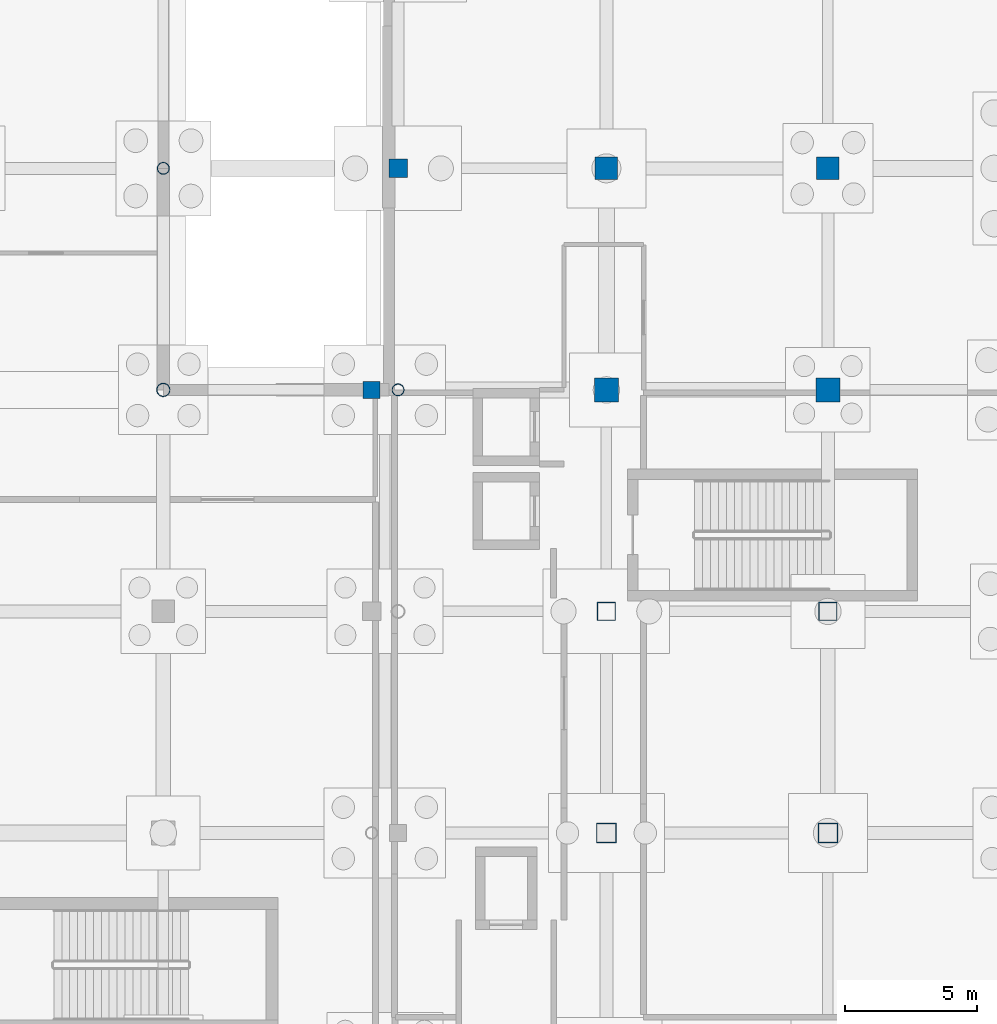
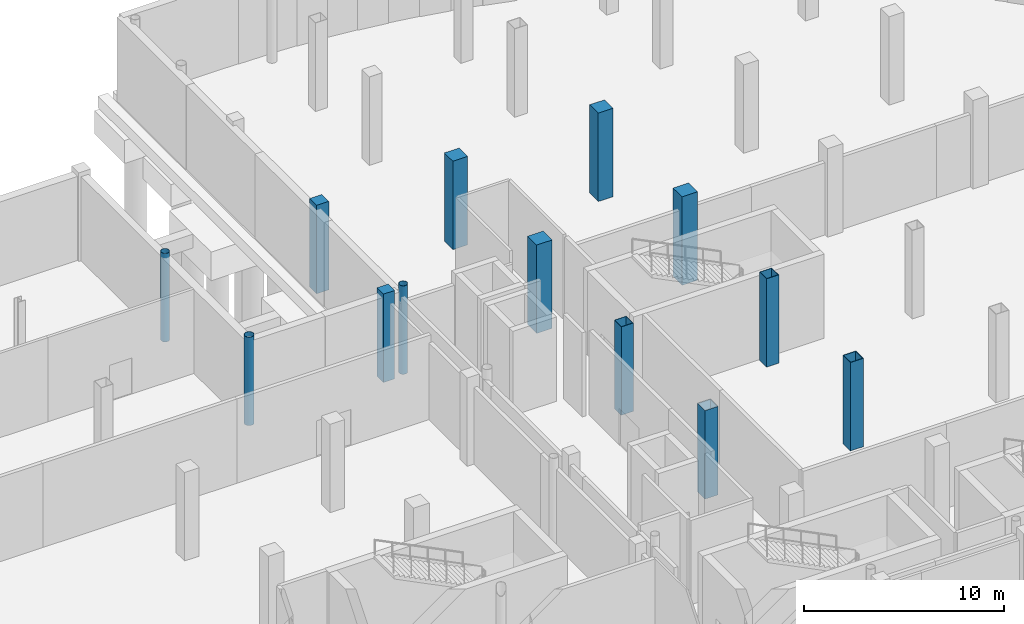
# One storey, part 15 of 49: 13 columns.
"""IFC4 building model written with IfcOpenShell, lengths in metres."""

from ifc_helpers import new_model, si_unit, direction, frame, origin, origin_2d, place, context, subcontext, project, spatial, rectangle, hollow_rectangle, hollow_circle, extrude, material, material_profile, profile_set, type_object, element, save


model = new_model("IFC4")

# Units and contexts
model_context = context("Model", 3, precision=1e-05, world=origin(), true_north=direction((0.0, 1.0)))
body_context = subcontext(model_context, "Body", "Model", "MODEL_VIEW")
ifc_project = project(units=[si_unit("LENGTHUNIT", "METRE"), si_unit("AREAUNIT", "SQUARE_METRE"), si_unit("VOLUMEUNIT", "CUBIC_METRE"), si_unit("PLANEANGLEUNIT", "RADIAN"), si_unit("MASSUNIT", "GRAM", prefix="KILO"), si_unit("THERMODYNAMICTEMPERATUREUNIT", "KELVIN")], contexts=[model_context])

# Site, building, storey
site_placement = place(None, origin())
site = spatial("IfcSite", under=ifc_project, at=site_placement, CompositionType="ELEMENT")
building_placement = place(site_placement, origin())
building = spatial("IfcBuilding", under=site, at=building_placement, Name="Lustrewick Department Store", CompositionType="ELEMENT")
storey_placement = place(building_placement, frame((0.0, 0.0, -5.39990234375)))
storey = spatial("IfcBuildingStorey", under=building, at=storey_placement, Name="B1", CompositionType="ELEMENT", Elevation=-5.39990234375)

# Columns
ifc_material_1 = material(Name="Structural steel Q355C", Category="steel")
ifc_material_profile_1 = material_profile(ifc_material_1, hollow_rectangle(XDim=0.75, YDim=0.75, WallThickness=0.028076171875, at=origin_2d()), Name="BOX 750x750x28")
ifc_profile_set_1 = profile_set([ifc_material_profile_1], Name="Structural steel Q355C")
column_type_1 = type_object("IfcColumnType", Name="C01", PredefinedType="COLUMN", material=ifc_profile_set_1)
for number, where, z_axis, x_axis, name in (
    (1, (117.60009765625, 67.199951171875, 0.0), (0.0, 0.0, 1.0), (1.0, 0.0, 0.0), "B1 V4 Column C01"),
    (2, (126.0, 67.199951171875, 0.0), (0.0, 0.0, 1.0), (1.0, 0.0, 0.0), "B1 V4 Column C01"),
):
    element("IfcColumn", number, at=place(storey_placement, frame(where, z_axis=z_axis, x_axis=x_axis)), inside=storey, type_object=column_type_1, Name=name, PredefinedType="COLUMN", context=body_context, shape_type="SweptSolid", body=[
        extrude(hollow_rectangle(XDim=0.75, YDim=0.75, WallThickness=0.028076171875, at=origin_2d()), origin(), (0.0, 0.0, 1.0), 5.39990234375),
    ])
ifc_material_profile_2 = material_profile(ifc_material_1, hollow_rectangle(XDim=0.699951171875, YDim=0.699951171875, WallThickness=0.02587890625, at=origin_2d()), Name="BOX 700x700x26")
ifc_profile_set_2 = profile_set([ifc_material_profile_2], Name="Structural steel Q355C")
column_type_2 = type_object("IfcColumnType", Name="C02", PredefinedType="COLUMN", material=ifc_profile_set_2)
for number, where, z_axis, x_axis, name in (
    (3, (117.60009765625, 75.60009765625, 0.0), (0.0, 0.0, 1.0), (1.0, 0.0, 0.0), "B1 V4 Column C02"),
    (4, (126.0, 75.60009765625, 0.0), (0.0, 0.0, 1.0), (1.0, 0.0, 0.0), "B1 V4 Column C02"),
):
    element("IfcColumn", number, at=place(storey_placement, frame(where, z_axis=z_axis, x_axis=x_axis)), inside=storey, type_object=column_type_2, Name=name, PredefinedType="COLUMN", context=body_context, shape_type="SweptSolid", body=[
        extrude(hollow_rectangle(XDim=0.699951171875, YDim=0.699951171875, WallThickness=0.02587890625, at=origin_2d()), origin(), (0.0, 0.0, 1.0), 5.39990234375),
    ])
ifc_material_2 = material(Name="Concrete C50", Category="concrete")
ifc_material_profile_3 = material_profile(ifc_material_2, rectangle(XDim=0.89990234375, YDim=0.89990234375, at=origin_2d()), Name="RC 900x900")
ifc_profile_set_3 = profile_set([ifc_material_profile_3], Name="Concrete C50")
column_type_3 = type_object("IfcColumnType", Name="C17", PredefinedType="COLUMN", material=ifc_profile_set_3)
for number, where, z_axis, x_axis, name in (
    (5, (117.60009765625, 84.0, 0.0), (0.0, 0.0, 1.0), (1.0, 0.0, 0.0), "B1 V4 Column C17"),
    (6, (126.0, 84.0, 0.0), (0.0, 0.0, 1.0), (1.0, 0.0, 0.0), "B1 V4 Column C17"),
):
    element("IfcColumn", number, at=place(storey_placement, frame(where, z_axis=z_axis, x_axis=x_axis)), inside=storey, type_object=column_type_3, Name=name, PredefinedType="COLUMN", context=body_context, shape_type="SweptSolid", body=[
        extrude(rectangle(XDim=0.89990234375, YDim=0.89990234375, at=origin_2d()), origin(), (0.0, 0.0, 1.0), 5.39990234375),
    ])
ifc_material_profile_4 = material_profile(ifc_material_2, rectangle(XDim=0.85009765625, YDim=0.85009765625, at=origin_2d()), Name="RC 850x850")
ifc_profile_set_4 = profile_set([ifc_material_profile_4], Name="Concrete C50")
column_type_4 = type_object("IfcColumnType", Name="C18", PredefinedType="COLUMN", material=ifc_profile_set_4)
for number, where, z_axis, x_axis, name in (
    (7, (117.60009765625, 92.39990234375, 0.0), (0.0, 0.0, 1.0), (1.0, 0.0, 0.0), "B1 V4 Column C18"),
    (8, (126.0, 92.39990234375, 0.0), (0.0, 0.0, 1.0), (1.0, 0.0, 0.0), "B1 V4 Column C18"),
):
    element("IfcColumn", number, at=place(storey_placement, frame(where, z_axis=z_axis, x_axis=x_axis)), inside=storey, type_object=column_type_4, Name=name, PredefinedType="COLUMN", context=body_context, shape_type="SweptSolid", body=[
        extrude(rectangle(XDim=0.85009765625, YDim=0.85009765625, at=origin_2d()), origin(), (0.0, 0.0, 1.0), 5.39990234375),
    ])
ifc_material_profile_5 = material_profile(ifc_material_1, hollow_circle(Radius=0.25390625, WallThickness=0.01611328125, at=origin_2d()), Name="CHS 508x16")
ifc_profile_set_5 = profile_set([ifc_material_profile_5], Name="Structural steel Q355C")
column_type_5 = type_object("IfcColumnType", Name="CE01", PredefinedType="COLUMN", material=ifc_profile_set_5)
column_1_placement = place(storey_placement, frame((100.800048828125, 84.0, 0.0), z_axis=(0.0, 0.0, 1.0), x_axis=(1.0, 0.0, 0.0)))
element("IfcColumn", 9, at=column_1_placement, inside=storey, type_object=column_type_5, Name="B1 V2 Column CE01", PredefinedType="COLUMN", context=body_context, shape_type="SweptSolid", body=[
    extrude(hollow_circle(Radius=0.25390625, WallThickness=0.01611328125, at=origin_2d()), origin(), (0.0, 0.0, 1.0), 5.39990234375),
])
ifc_material_profile_6 = material_profile(ifc_material_1, hollow_circle(Radius=0.228515625, WallThickness=0.01611328125, at=origin_2d()), Name="CHS 457x16")
ifc_profile_set_6 = profile_set([ifc_material_profile_6], Name="Structural steel Q355C")
column_type_6 = type_object("IfcColumnType", Name="CE02", PredefinedType="COLUMN", material=ifc_profile_set_6)
for number, where, z_axis, x_axis, name in (
    (10, (100.800048828125, 92.39990234375, 0.0), (0.0, 0.0, 1.0), (1.0, 0.0, 0.0), "B1 V2 Column CE02"),
    (11, (109.699951171875, 84.0, 0.0), (0.0, 0.0, 1.0), (1.0, 0.0, 0.0), "B1 V4 Column CE02"),
):
    element("IfcColumn", number, at=place(storey_placement, frame(where, z_axis=z_axis, x_axis=x_axis)), inside=storey, type_object=column_type_6, Name=name, PredefinedType="COLUMN", context=body_context, shape_type="SweptSolid", body=[
        extrude(hollow_circle(Radius=0.228515625, WallThickness=0.01611328125, at=origin_2d()), origin(), (0.0, 0.0, 1.0), 5.39990234375),
    ])
ifc_material_3 = material(Name="Concrete C40", Category="concrete")
ifc_material_profile_7 = material_profile(ifc_material_3, rectangle(XDim=0.699951171875, YDim=0.699951171875, at=origin_2d()), Name="RC 700x700")
ifc_profile_set_7 = profile_set([ifc_material_profile_7], Name="Concrete C40")
column_type_7 = type_object("IfcColumnType", Name="CE06", PredefinedType="COLUMN", material=ifc_profile_set_7)
column_2_placement = place(storey_placement, frame((109.699951171875, 92.39990234375, 0.0), z_axis=(0.0, 0.0, 1.0), x_axis=(1.0, 0.0, 0.0)))
element("IfcColumn", 12, at=column_2_placement, inside=storey, type_object=column_type_7, Name="B1 V4 Column CE06", PredefinedType="COLUMN", context=body_context, shape_type="SweptSolid", body=[
    extrude(rectangle(XDim=0.699951171875, YDim=0.699951171875, at=origin_2d()), origin(), (0.0, 0.0, 1.0), 5.39990234375),
])
ifc_material_profile_8 = material_profile(ifc_material_3, rectangle(XDim=0.64990234375, YDim=0.64990234375, at=origin_2d()), Name="RC 650x650")
ifc_profile_set_8 = profile_set([ifc_material_profile_8], Name="Concrete C40")
column_type_8 = type_object("IfcColumnType", Name="CE07", PredefinedType="COLUMN", material=ifc_profile_set_8)
column_3_placement = place(storey_placement, frame((108.699951171875, 84.0, 0.0), z_axis=(0.0, 0.0, 1.0), x_axis=(1.0, 0.0, 0.0)))
element("IfcColumn", 13, at=column_3_placement, inside=storey, type_object=column_type_8, Name="B1 V2 Column CE07", PredefinedType="COLUMN", context=body_context, shape_type="SweptSolid", body=[
    extrude(rectangle(XDim=0.64990234375, YDim=0.64990234375, at=origin_2d()), origin(), (0.0, 0.0, 1.0), 5.39990234375),
])

save(model, "model.ifc")
